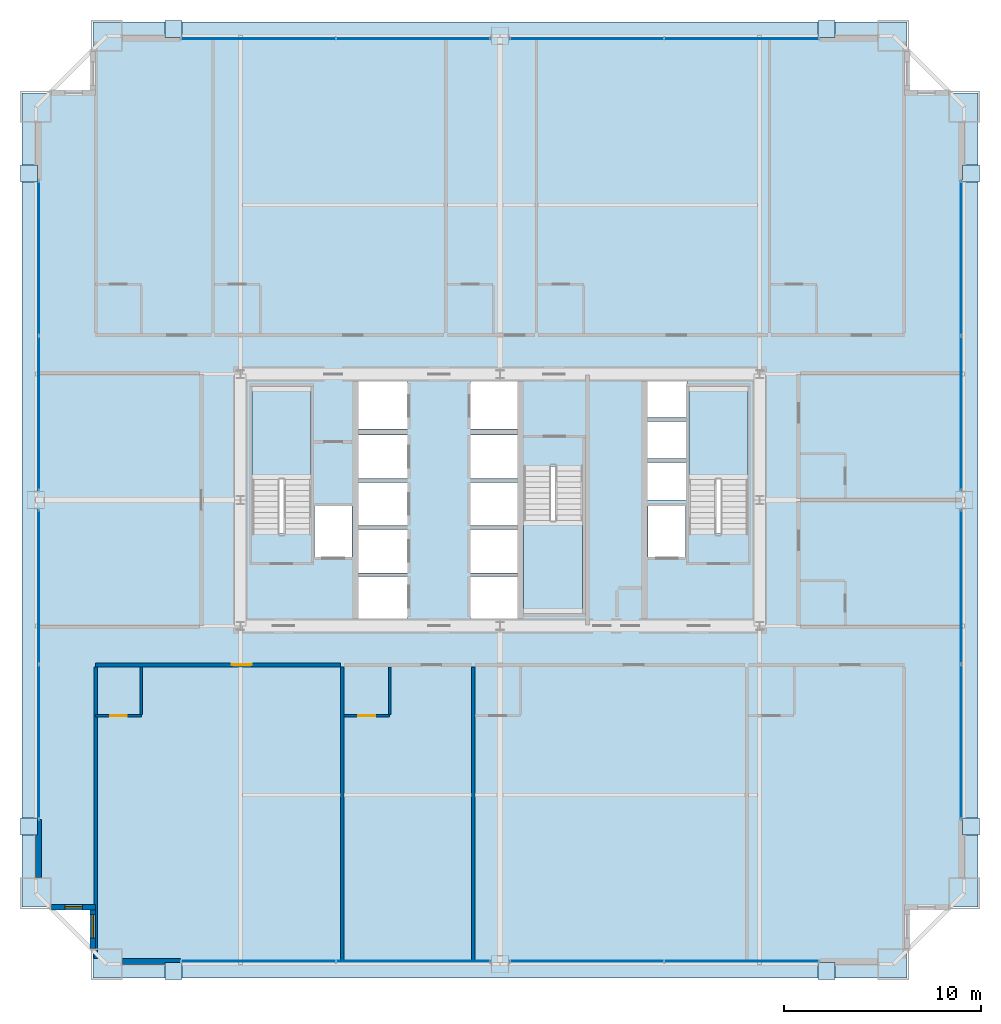
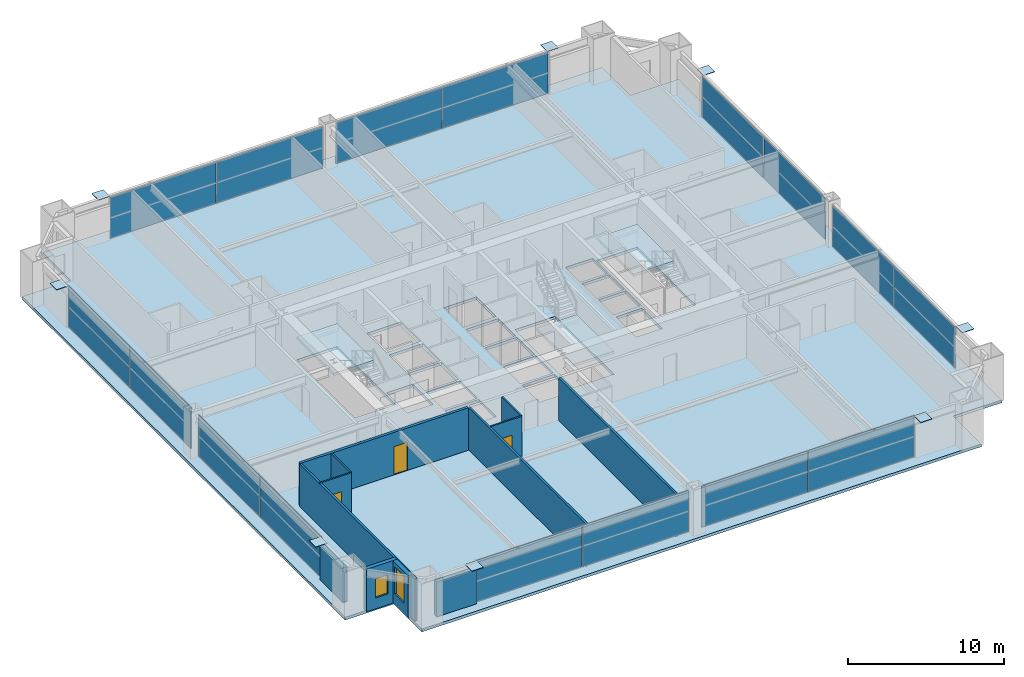
# One storey, part 33 of 38: 24 plates, 12 walls, 4 slabs, 3 doors, 2 windows, 5 openings, 11 elements without a shape of their own.
"""IFC4 building model written with IfcOpenShell, lengths in metres."""

from ifc_helpers import new_model, si_unit, direction, frame, frame_2d, origin, origin_2d, place, context, subcontext, project, spatial, polyline, rectangle, outline, extrude, source, transform, mapped, material, layer, layer_set, type_object, element, fill, aggregate, save


model = new_model("IFC4")

# Units and contexts
model_context = context("Model", 3, precision=1e-05, world=origin(), true_north=direction((0.0, 1.0)))
body_context = subcontext(model_context, "Body", "Model", "MODEL_VIEW")
ifc_project = project(units=[si_unit("LENGTHUNIT", "METRE"), si_unit("AREAUNIT", "SQUARE_METRE"), si_unit("VOLUMEUNIT", "CUBIC_METRE"), si_unit("PLANEANGLEUNIT", "RADIAN"), si_unit("MASSUNIT", "GRAM", prefix="KILO"), si_unit("THERMODYNAMICTEMPERATUREUNIT", "KELVIN"), si_unit("POWERUNIT", "WATT")], contexts=[model_context])

# Site, building, storey
site_placement = place(None, origin())
site = spatial("IfcSite", under=ifc_project, at=site_placement, CompositionType="ELEMENT")
building_placement = place(site_placement, origin())
building = spatial("IfcBuilding", under=site, at=building_placement, Name="Yuzanri Waterfront Tower", CompositionType="ELEMENT")
storey_placement = place(building_placement, frame((0.0, 0.0, 126.199951171875)))
storey = spatial("IfcBuildingStorey", under=building, at=storey_placement, Name="L33", CompositionType="ELEMENT", Elevation=126.199951171875)

# Stair, slab
ifc_material_1 = material(Name="Concrete C40", Category="concrete")
stair_type = type_object("IfcStairType", Name="Concrete C40 Core Dogleg Exit Stair", PredefinedType="HALF_TURN_STAIR", material=ifc_material_1)
stair_1_placement = place(storey_placement, origin())
stair_1 = element("IfcStair", 1, at=stair_1_placement, inside=storey, type_object=stair_type, Name="L33 Smoke-Proof Core Stair ST-01", PredefinedType="HALF_TURN_STAIR")
ifc_material_2 = material(Name="Concrete C40", Category="concrete")
ifc_layer_1 = layer(ifc_material_2, 0.179931640625)
ifc_layer_set_1 = layer_set([ifc_layer_1], Name="Concrete C40")
slab_type_1 = type_object("IfcSlabType", Name="Concrete C40 Stair Half-Landing Slab 180", PredefinedType="LANDING", material=ifc_layer_set_1)
slab_1_placement = place(storey_placement, frame((0.0, 0.0, 1.60009765625)))
slab_1 = element("IfcSlab", 2, at=slab_1_placement, type_object=slab_type_1, Name="ST-01 landing 1", PredefinedType="LANDING", context=body_context, shape_type="SweptSolid", body=[
    extrude(outline(polyline([(27.39990234375, 26.840087890625), (27.39990234375, 31.580078125), (24.39990234375, 31.580078125), (24.39990234375, 26.840087890625), (27.39990234375, 26.840087890625)])), origin(), (0.0, 0.0, 1.0), 0.199951171875),
])
aggregate(stair_1, [slab_1])

stair_2_placement = place(storey_placement, origin())
stair_2 = element("IfcStair", 3, at=stair_2_placement, inside=storey, type_object=stair_type, Name="L33 Smoke-Proof Core Stair ST-02", PredefinedType="HALF_TURN_STAIR")
slab_2_placement = place(storey_placement, frame((0.0, 0.0, 1.60009765625)))
slab_2 = element("IfcSlab", 4, at=slab_2_placement, type_object=slab_type_1, Name="ST-02 landing 1", PredefinedType="LANDING", context=body_context, shape_type="SweptSolid", body=[
    extrude(outline(polyline([(49.60009765625, 26.840087890625), (49.60009765625, 31.580078125), (46.60009765625, 31.580078125), (46.60009765625, 26.840087890625), (49.60009765625, 26.840087890625)])), origin(), (0.0, 0.0, 1.0), 0.199951171875),
])
aggregate(stair_2, [slab_2])

stair_3_placement = place(storey_placement, origin())
stair_3 = element("IfcStair", 5, at=stair_3_placement, inside=storey, type_object=stair_type, Name="L33 Smoke-Proof Core Stair ST-03", PredefinedType="HALF_TURN_STAIR")
slab_3_placement = place(storey_placement, frame((0.0, 0.0, 1.60009765625)))
slab_3 = element("IfcSlab", 6, at=slab_3_placement, type_object=slab_type_1, Name="ST-03 landing 1", PredefinedType="LANDING", context=body_context, shape_type="SweptSolid", body=[
    extrude(outline(polyline([(38.199951171875, 24.760009765625), (38.199951171875, 20.02001953125), (41.199951171875, 20.02001953125), (41.199951171875, 24.760009765625), (38.199951171875, 24.760009765625)])), origin(), (0.0, 0.0, 1.0), 0.199951171875),
])
aggregate(stair_3, [slab_3])

# Slab
ifc_material_3 = material(Name="Concrete C40", Category="concrete")
ifc_layer_2 = layer(ifc_material_3, 0.219970703125)
ifc_layer_set_2 = layer_set([ifc_layer_2], Name="Concrete C40")
slab_type_2 = type_object("IfcSlabType", Name="Concrete C40 Tower Typical Structural Floor Slab 220", PredefinedType="FLOOR", material=ifc_layer_set_2)
slab_4_placement = place(storey_placement, frame((0.0, 0.0, -0.219970703125)))
element("IfcSlab", 7, at=slab_4_placement, inside=storey, type_object=slab_type_2, Name="L33 Main Structural Floor Slab", PredefinedType="FLOOR", context=body_context, shape_type="SweptSolid", body=[
    extrude(outline(polyline([(16.300048828125, 1.5), (57.699951171875, 1.5), (57.699951171875, 5.10009765625), (61.300048828125, 5.10009765625), (61.300048828125, 46.5), (57.699951171875, 46.5), (57.699951171875, 50.10009765625), (16.300048828125, 50.10009765625), (16.300048828125, 46.5), (12.699951171875, 46.5), (12.699951171875, 5.10009765625), (16.300048828125, 5.10009765625), (16.300048828125, 1.5)]), holes=[polyline([(27.39990234375, 24.10009765625), (27.39990234375, 31.580078125), (24.39990234375, 31.580078125), (24.39990234375, 24.10009765625), (27.39990234375, 24.10009765625)]), polyline([(49.60009765625, 24.10009765625), (49.60009765625, 31.580078125), (46.60009765625, 31.580078125), (46.60009765625, 24.10009765625), (49.60009765625, 24.10009765625)]), polyline([(38.199951171875, 27.5), (38.199951171875, 20.02001953125), (41.199951171875, 20.02001953125), (41.199951171875, 27.5), (38.199951171875, 27.5)]), polyline([(27.56005859375, 22.89990234375), (29.47998046875, 22.89990234375), (29.47998046875, 25.5), (27.56005859375, 25.5), (27.56005859375, 22.89990234375)]), polyline([(44.52001953125, 22.89990234375), (46.43994140625, 22.89990234375), (46.43994140625, 25.5), (44.52001953125, 25.5), (44.52001953125, 22.89990234375)]), polyline([(29.800048828125, 19.699951171875), (32.300048828125, 19.699951171875), (32.300048828125, 21.89990234375), (29.800048828125, 21.89990234375), (29.800048828125, 19.699951171875)]), polyline([(29.800048828125, 22.10009765625), (32.300048828125, 22.10009765625), (32.300048828125, 24.300048828125), (29.800048828125, 24.300048828125), (29.800048828125, 22.10009765625)]), polyline([(29.800048828125, 24.5), (32.300048828125, 24.5), (32.300048828125, 26.699951171875), (29.800048828125, 26.699951171875), (29.800048828125, 24.5)]), polyline([(29.800048828125, 26.89990234375), (32.300048828125, 26.89990234375), (32.300048828125, 29.10009765625), (29.800048828125, 29.10009765625), (29.800048828125, 26.89990234375)]), polyline([(29.800048828125, 29.39990234375), (32.300048828125, 29.39990234375), (32.300048828125, 31.89990234375), (29.800048828125, 31.89990234375), (29.800048828125, 29.39990234375)]), polyline([(35.5, 19.699951171875), (37.89990234375, 19.699951171875), (37.89990234375, 21.89990234375), (35.5, 21.89990234375), (35.5, 19.699951171875)]), polyline([(35.5, 22.10009765625), (37.89990234375, 22.10009765625), (37.89990234375, 24.300048828125), (35.5, 24.300048828125), (35.5, 22.10009765625)]), polyline([(35.5, 24.5), (37.89990234375, 24.5), (37.89990234375, 26.699951171875), (35.5, 26.699951171875), (35.5, 24.5)]), polyline([(35.5, 26.89990234375), (37.89990234375, 26.89990234375), (37.89990234375, 29.10009765625), (35.5, 29.10009765625), (35.5, 26.89990234375)]), polyline([(35.5, 29.39990234375), (37.89990234375, 29.39990234375), (37.89990234375, 31.89990234375), (35.5, 31.89990234375), (35.5, 29.39990234375)]), polyline([(44.5, 25.800048828125), (46.5, 25.800048828125), (46.5, 27.699951171875), (44.5, 27.699951171875), (44.5, 25.800048828125)]), polyline([(44.5, 27.89990234375), (46.5, 27.89990234375), (46.5, 29.800048828125), (44.5, 29.800048828125), (44.5, 27.89990234375)]), polyline([(44.5, 30.0), (46.5, 30.0), (46.5, 31.89990234375), (44.5, 31.89990234375), (44.5, 30.0)])]), origin(), (0.0, 0.0, 1.0), 0.219970703125),
])

# Plates
ifc_material_4 = material(Name="Steel Q420GJC", Category="steel")
ifc_layer_3 = layer(ifc_material_4, 0.0400390625)
ifc_layer_set_3 = layer_set([ifc_layer_3], Name="Steel Q420GJC")
plate_type_1 = type_object("IfcPlateType", Name="Steel Q420GJC Mega-Brace Gusset and End-Cap Plate 40", PredefinedType="SHEET", material=ifc_layer_set_3)
shared_shape_1 = source(origin(), body_context, "Body", "SweptSolid", [
    extrude(rectangle(XDim=0.85009765625, YDim=0.85009765625, at=origin_2d()), origin(), (0.0, 0.0, 1.0), 0.0400390625),
])
for number, where, z_axis, x_axis, name in (
    (8, (20.39990234375, 1.860107421875, 3.260009765625), (0.0, 0.0, 1.0), (1.0, 0.0, 0.0), "L33 Mega-Brace Apex Cap Plate S-L"),
    (9, (53.60009765625, 1.860107421875, 3.260009765625), (0.0, 0.0, 1.0), (1.0, 0.0, 0.0), "L33 Mega-Brace Apex Cap Plate S-R"),
    (10, (20.39990234375, 49.739990234375, 3.260009765625), (0.0, 0.0, 1.0), (1.0, 0.0, 0.0), "L33 Mega-Brace Apex Cap Plate N-L"),
    (11, (53.60009765625, 49.739990234375, 3.260009765625), (0.0, 0.0, 1.0), (1.0, 0.0, 0.0), "L33 Mega-Brace Apex Cap Plate N-R"),
    (12, (13.06005859375, 9.199951171875, 3.260009765625), (0.0, 0.0, 1.0), (1.0, 0.0, 0.0), "L33 Mega-Brace Apex Cap Plate W-L"),
    (13, (13.06005859375, 42.39990234375, 3.260009765625), (0.0, 0.0, 1.0), (1.0, 0.0, 0.0), "L33 Mega-Brace Apex Cap Plate W-R"),
    (14, (60.93994140625, 9.199951171875, 3.260009765625), (0.0, 0.0, 1.0), (1.0, 0.0, 0.0), "L33 Mega-Brace Apex Cap Plate E-L"),
    (15, (60.93994140625, 42.39990234375, 3.260009765625), (0.0, 0.0, 1.0), (1.0, 0.0, 0.0), "L33 Mega-Brace Apex Cap Plate E-R"),
):
    element("IfcPlate", number, at=place(storey_placement, frame(where, z_axis=z_axis, x_axis=x_axis)), inside=storey, type_object=plate_type_1, Name=name, PredefinedType="SHEET", context=body_context, shape_type="MappedRepresentation", body=[
        mapped(shared_shape_1, transform((0.0, 0.0, 0.0), scale=1.0)),
    ])

# Curtain wall, plates
ifc_material_5 = material(Name="Anodized Architectural Bronze", Category="metal")
ifc_layer_4 = layer(ifc_material_5, 0.159912109375)
ifc_layer_set_4 = layer_set([ifc_layer_4], Name="Anodized Architectural Bronze")
curtain_wall_type = type_object("IfcCurtainWallType", Name="Anodized Bronze Hotel Upper-Tier Solar-Control Unitized Curtain Wall 7800", PredefinedType="NOTDEFINED", material=ifc_layer_set_4)
curtain_wall_1_placement = place(storey_placement, origin())
curtain_wall_1 = element("IfcCurtainWall", 16, at=curtain_wall_1_placement, inside=storey, type_object=curtain_wall_type, Name="L33 Curtain Wall CW-L33-SL", PredefinedType="NOTDEFINED")
ifc_material_6 = material(Name="Double-Silver Low-E Insulated Glass", Category="glass")
ifc_layer_5 = layer(ifc_material_6, 0.035888671875)
ifc_layer_set_5 = layer_set([ifc_layer_5], Name="Double-Silver Low-E Insulated Glass")
plate_type_2 = type_object("IfcPlateType", Name="Double Silver Low-E Insulated Vision Glass Panel 36", PredefinedType="CURTAIN_PANEL", material=ifc_layer_set_5)
shared_shape_2 = source(origin(), body_context, "Body", "SweptSolid", [
    extrude(rectangle(XDim=7.820068359375, YDim=0.035888671875, at=origin_2d()), origin(), (0.0, 0.0, 1.0), 3.219970703125),
])
plate_1_placement = place(storey_placement, frame((24.699951171875, 2.35009765625, 0.05029296875), z_axis=(0.0, 0.0, 1.0), x_axis=(1.0, 0.0, 0.0)))
plate_1 = element("IfcPlate", 17, at=plate_1_placement, type_object=plate_type_2, Name="CW-L33-SL Vision Glass Panel 01", PredefinedType="CURTAIN_PANEL", context=body_context, shape_type="MappedRepresentation", body=[
    mapped(shared_shape_2, transform((0.0, 0.0, 0.0), scale=1.0)),
])
plate_2_placement = place(storey_placement, frame((32.60009765625, 2.35009765625, 0.05029296875), z_axis=(0.0, 0.0, 1.0), x_axis=(1.0, 0.0, 0.0)))
plate_2 = element("IfcPlate", 18, at=plate_2_placement, type_object=plate_type_2, Name="CW-L33-SL Vision Glass Panel 02", PredefinedType="CURTAIN_PANEL", context=body_context, shape_type="MappedRepresentation", body=[
    mapped(shared_shape_2, transform((0.0, 0.0, 0.0), scale=1.0)),
])
aggregate(curtain_wall_1, [plate_1, plate_2])

curtain_wall_2_placement = place(storey_placement, origin())
curtain_wall_2 = element("IfcCurtainWall", 19, at=curtain_wall_2_placement, inside=storey, type_object=curtain_wall_type, Name="L33 Curtain Wall CW-L33-SR", PredefinedType="NOTDEFINED")
plate_3_placement = place(storey_placement, frame((41.39990234375, 2.35009765625, 0.05029296875), z_axis=(0.0, 0.0, 1.0), x_axis=(1.0, 0.0, 0.0)))
plate_3 = element("IfcPlate", 20, at=plate_3_placement, type_object=plate_type_2, Name="CW-L33-SR Vision Glass Panel 01", PredefinedType="CURTAIN_PANEL", context=body_context, shape_type="MappedRepresentation", body=[
    mapped(shared_shape_2, transform((0.0, 0.0, 0.0), scale=1.0)),
])
plate_4_placement = place(storey_placement, frame((49.300048828125, 2.35009765625, 0.05029296875), z_axis=(0.0, 0.0, 1.0), x_axis=(1.0, 0.0, 0.0)))
plate_4 = element("IfcPlate", 21, at=plate_4_placement, type_object=plate_type_2, Name="CW-L33-SR Vision Glass Panel 02", PredefinedType="CURTAIN_PANEL", context=body_context, shape_type="MappedRepresentation", body=[
    mapped(shared_shape_2, transform((0.0, 0.0, 0.0), scale=1.0)),
])
aggregate(curtain_wall_2, [plate_3, plate_4])

curtain_wall_3_placement = place(storey_placement, origin())
curtain_wall_3 = element("IfcCurtainWall", 22, at=curtain_wall_3_placement, inside=storey, type_object=curtain_wall_type, Name="L33 Curtain Wall CW-L33-NL", PredefinedType="NOTDEFINED")
plate_5_placement = place(storey_placement, frame((24.699951171875, 49.25, 0.05029296875), z_axis=(0.0, 0.0, 1.0), x_axis=(1.0, 0.0, 0.0)))
plate_5 = element("IfcPlate", 23, at=plate_5_placement, type_object=plate_type_2, Name="CW-L33-NL Vision Glass Panel 01", PredefinedType="CURTAIN_PANEL", context=body_context, shape_type="MappedRepresentation", body=[
    mapped(shared_shape_2, transform((0.0, 0.0, 0.0), scale=1.0)),
])
plate_6_placement = place(storey_placement, frame((32.60009765625, 49.25, 0.05029296875), z_axis=(0.0, 0.0, 1.0), x_axis=(1.0, 0.0, 0.0)))
plate_6 = element("IfcPlate", 24, at=plate_6_placement, type_object=plate_type_2, Name="CW-L33-NL Vision Glass Panel 02", PredefinedType="CURTAIN_PANEL", context=body_context, shape_type="MappedRepresentation", body=[
    mapped(shared_shape_2, transform((0.0, 0.0, 0.0), scale=1.0)),
])
aggregate(curtain_wall_3, [plate_5, plate_6])

curtain_wall_4_placement = place(storey_placement, origin())
curtain_wall_4 = element("IfcCurtainWall", 25, at=curtain_wall_4_placement, inside=storey, type_object=curtain_wall_type, Name="L33 Curtain Wall CW-L33-NR", PredefinedType="NOTDEFINED")
plate_7_placement = place(storey_placement, frame((41.39990234375, 49.25, 0.05029296875), z_axis=(0.0, 0.0, 1.0), x_axis=(1.0, 0.0, 0.0)))
plate_7 = element("IfcPlate", 26, at=plate_7_placement, type_object=plate_type_2, Name="CW-L33-NR Vision Glass Panel 01", PredefinedType="CURTAIN_PANEL", context=body_context, shape_type="MappedRepresentation", body=[
    mapped(shared_shape_2, transform((0.0, 0.0, 0.0), scale=1.0)),
])
plate_8_placement = place(storey_placement, frame((49.300048828125, 49.25, 0.05029296875), z_axis=(0.0, 0.0, 1.0), x_axis=(1.0, 0.0, 0.0)))
plate_8 = element("IfcPlate", 27, at=plate_8_placement, type_object=plate_type_2, Name="CW-L33-NR Vision Glass Panel 02", PredefinedType="CURTAIN_PANEL", context=body_context, shape_type="MappedRepresentation", body=[
    mapped(shared_shape_2, transform((0.0, 0.0, 0.0), scale=1.0)),
])
aggregate(curtain_wall_4, [plate_7, plate_8])

curtain_wall_5_placement = place(storey_placement, origin())
curtain_wall_5 = element("IfcCurtainWall", 28, at=curtain_wall_5_placement, inside=storey, type_object=curtain_wall_type, Name="L33 Curtain Wall CW-L33-WL", PredefinedType="NOTDEFINED")
plate_9_placement = place(storey_placement, frame((13.550048828125, 13.5, 0.05029296875), z_axis=(0.0, 0.0, 1.0), x_axis=(0.0, 1.0, 0.0)))
plate_9 = element("IfcPlate", 29, at=plate_9_placement, type_object=plate_type_2, Name="CW-L33-WL Vision Glass Panel 01", PredefinedType="CURTAIN_PANEL", context=body_context, shape_type="MappedRepresentation", body=[
    mapped(shared_shape_2, transform((0.0, 0.0, 0.0), scale=1.0)),
])
plate_10_placement = place(storey_placement, frame((13.550048828125, 21.39990234375, 0.05029296875), z_axis=(0.0, 0.0, 1.0), x_axis=(0.0, 1.0, 0.0)))
plate_10 = element("IfcPlate", 30, at=plate_10_placement, type_object=plate_type_2, Name="CW-L33-WL Vision Glass Panel 02", PredefinedType="CURTAIN_PANEL", context=body_context, shape_type="MappedRepresentation", body=[
    mapped(shared_shape_2, transform((0.0, 0.0, 0.0), scale=1.0)),
])
aggregate(curtain_wall_5, [plate_9, plate_10])

curtain_wall_6_placement = place(storey_placement, origin())
curtain_wall_6 = element("IfcCurtainWall", 31, at=curtain_wall_6_placement, inside=storey, type_object=curtain_wall_type, Name="L33 Curtain Wall CW-L33-WR", PredefinedType="NOTDEFINED")
plate_11_placement = place(storey_placement, frame((13.550048828125, 30.199951171875, 0.05029296875), z_axis=(0.0, 0.0, 1.0), x_axis=(0.0, 1.0, 0.0)))
plate_11 = element("IfcPlate", 32, at=plate_11_placement, type_object=plate_type_2, Name="CW-L33-WR Vision Glass Panel 01", PredefinedType="CURTAIN_PANEL", context=body_context, shape_type="MappedRepresentation", body=[
    mapped(shared_shape_2, transform((0.0, 0.0, 0.0), scale=1.0)),
])
plate_12_placement = place(storey_placement, frame((13.550048828125, 38.10009765625, 0.05029296875), z_axis=(0.0, 0.0, 1.0), x_axis=(0.0, 1.0, 0.0)))
plate_12 = element("IfcPlate", 33, at=plate_12_placement, type_object=plate_type_2, Name="CW-L33-WR Vision Glass Panel 02", PredefinedType="CURTAIN_PANEL", context=body_context, shape_type="MappedRepresentation", body=[
    mapped(shared_shape_2, transform((0.0, 0.0, 0.0), scale=1.0)),
])
aggregate(curtain_wall_6, [plate_11, plate_12])

curtain_wall_7_placement = place(storey_placement, origin())
curtain_wall_7 = element("IfcCurtainWall", 34, at=curtain_wall_7_placement, inside=storey, type_object=curtain_wall_type, Name="L33 Curtain Wall CW-L33-EL", PredefinedType="NOTDEFINED")
plate_13_placement = place(storey_placement, frame((60.449951171875, 13.5, 0.05029296875), z_axis=(0.0, 0.0, 1.0), x_axis=(0.0, 1.0, 0.0)))
plate_13 = element("IfcPlate", 35, at=plate_13_placement, type_object=plate_type_2, Name="CW-L33-EL Vision Glass Panel 01", PredefinedType="CURTAIN_PANEL", context=body_context, shape_type="MappedRepresentation", body=[
    mapped(shared_shape_2, transform((0.0, 0.0, 0.0), scale=1.0)),
])
plate_14_placement = place(storey_placement, frame((60.449951171875, 21.39990234375, 0.05029296875), z_axis=(0.0, 0.0, 1.0), x_axis=(0.0, 1.0, 0.0)))
plate_14 = element("IfcPlate", 36, at=plate_14_placement, type_object=plate_type_2, Name="CW-L33-EL Vision Glass Panel 02", PredefinedType="CURTAIN_PANEL", context=body_context, shape_type="MappedRepresentation", body=[
    mapped(shared_shape_2, transform((0.0, 0.0, 0.0), scale=1.0)),
])
aggregate(curtain_wall_7, [plate_13, plate_14])

curtain_wall_8_placement = place(storey_placement, origin())
curtain_wall_8 = element("IfcCurtainWall", 37, at=curtain_wall_8_placement, inside=storey, type_object=curtain_wall_type, Name="L33 Curtain Wall CW-L33-ER", PredefinedType="NOTDEFINED")
plate_15_placement = place(storey_placement, frame((60.449951171875, 30.199951171875, 0.05029296875), z_axis=(0.0, 0.0, 1.0), x_axis=(0.0, 1.0, 0.0)))
plate_15 = element("IfcPlate", 38, at=plate_15_placement, type_object=plate_type_2, Name="CW-L33-ER Vision Glass Panel 01", PredefinedType="CURTAIN_PANEL", context=body_context, shape_type="MappedRepresentation", body=[
    mapped(shared_shape_2, transform((0.0, 0.0, 0.0), scale=1.0)),
])
plate_16_placement = place(storey_placement, frame((60.449951171875, 38.10009765625, 0.05029296875), z_axis=(0.0, 0.0, 1.0), x_axis=(0.0, 1.0, 0.0)))
plate_16 = element("IfcPlate", 39, at=plate_16_placement, type_object=plate_type_2, Name="CW-L33-ER Vision Glass Panel 02", PredefinedType="CURTAIN_PANEL", context=body_context, shape_type="MappedRepresentation", body=[
    mapped(shared_shape_2, transform((0.0, 0.0, 0.0), scale=1.0)),
])
aggregate(curtain_wall_8, [plate_15, plate_16])

# Wall, opening, door
ifc_material_7 = material(Name="Moisture-Resistant Gypsum Stud Wall", Category="gypsum")
ifc_layer_6 = layer(ifc_material_7, 0.1201171875)
ifc_layer_set_6 = layer_set([ifc_layer_6], Name="Moisture-Resistant Gypsum Stud Wall")
wall_type_1 = type_object("IfcWallType", Name="Bathroom and Kitchen Wet Partition 120", PredefinedType="PARTITIONING", material=ifc_layer_set_6)
wall_1_placement = place(storey_placement, frame((16.43994140625, 14.840087890625, 0.0), z_axis=(0.0, 0.0, 1.0), x_axis=(1.0, 0.0, 0.0)))
wall_1 = element("IfcWall", 40, at=wall_1_placement, inside=storey, type_object=wall_type_1, Name="L33 Partition UW-L33-S1-BS", PredefinedType="PARTITIONING", context=body_context, shape_type="SweptSolid", body=[
    extrude(rectangle(XDim=2.330078125, YDim=0.1201171875, at=frame_2d((1.1650390625, 0.0))), origin(), (0.0, 0.0, 1.0), 3.320068359375),
])
opening_1_placement = place(wall_1_placement, frame((0.739990234375, 0.0, 0.0)))
opening_1 = element("IfcOpeningElement", 41, at=opening_1_placement, cuts=wall_1, Name="Opening ID-0850", PredefinedType="OPENING", context=body_context, shape_type="SweptSolid", body=[
    extrude(rectangle(XDim=0.85009765625, YDim=2.10009765625, at=frame_2d((0.425048828125, 1.050048828125))), frame((0.0, 0.074951171875, 0.0), z_axis=(0.0, -1.0, 0.0), x_axis=(1.0, 0.0, 0.0)), (0.0, 0.0, 1.0), 0.14990234375),
])
ifc_material_8 = material(Name="Moisture-Resistant Lacquered Timber", Category="wood")
door_type_1 = type_object("IfcDoorType", Name="En-Suite Bathroom and Kitchen Swing Door 850x2100", OperationType="NOTDEFINED", PredefinedType="DOOR", material=ifc_material_8)
shared_shape_3 = source(origin(), body_context, "Body", "SweptSolid", [
    extrude(rectangle(XDim=0.85009765625, YDim=2.10009765625, at=frame_2d((0.425048828125, 1.050048828125))), frame((0.0, 0.02490234375, 0.0), z_axis=(0.0, -1.0, 0.0), x_axis=(1.0, 0.0, 0.0)), (0.0, 0.0, 1.0), 0.050048828125),
])
door_1_placement = place(opening_1_placement, origin())
door_1 = element("IfcDoor", 42, at=door_1_placement, inside=storey, type_object=door_type_1, Name="L33 Guest En-Suite Door", OperationType="SINGLE_SWING_LEFT", OverallHeight=2.10009765625, OverallWidth=0.85009765625, PredefinedType="DOOR", context=body_context, shape_type="MappedRepresentation", body=[
    mapped(shared_shape_3, transform((0.0, 0.0, 0.0), scale=1.0)),
])
fill(opening_1, door_1)

wall_2_placement = place(storey_placement, frame((29.06201171875, 14.840087890625, 0.0), z_axis=(0.0, 0.0, 1.0), x_axis=(1.0, 0.0, 0.0)))
wall_2 = element("IfcWall", 43, at=wall_2_placement, inside=storey, type_object=wall_type_1, Name="L33 Partition UW-L33-S2-BS", PredefinedType="PARTITIONING", context=body_context, shape_type="SweptSolid", body=[
    extrude(rectangle(XDim=2.330078125, YDim=0.1201171875, at=frame_2d((1.1650390625, 0.0))), origin(), (0.0, 0.0, 1.0), 3.320068359375),
])
opening_2_placement = place(wall_2_placement, frame((0.739990234375, 0.0, 0.0)))
opening_2 = element("IfcOpeningElement", 44, at=opening_2_placement, cuts=wall_2, Name="Opening ID-0850", PredefinedType="OPENING", context=body_context, shape_type="SweptSolid", body=[
    extrude(rectangle(XDim=0.85009765625, YDim=2.10009765625, at=frame_2d((0.425048828125, 1.050048828125))), frame((0.0, 0.074951171875, 0.0), z_axis=(0.0, -1.0, 0.0), x_axis=(1.0, 0.0, 0.0)), (0.0, 0.0, 1.0), 0.14990234375),
])
door_2_placement = place(opening_2_placement, origin())
door_2 = element("IfcDoor", 45, at=door_2_placement, inside=storey, type_object=door_type_1, Name="L33 Guest En-Suite Door", OperationType="SINGLE_SWING_LEFT", OverallHeight=2.10009765625, OverallWidth=0.85009765625, PredefinedType="DOOR", context=body_context, shape_type="MappedRepresentation", body=[
    mapped(shared_shape_3, transform((0.0, 0.0, 0.0), scale=1.0)),
])
fill(opening_2, door_2)

# Wall, opening, window
ifc_material_9 = material(Name="Honed Chongqing Dark Basalt Stone", Category="masonry")
ifc_layer_7 = layer(ifc_material_9, 0.300048828125)
ifc_layer_set_7 = layer_set([ifc_layer_7], Name="Honed Chongqing Dark Basalt Stone")
wall_type_2 = type_object("IfcWallType", Name="Bronze Rainscreen Insulated Spandrel Portal Wall 300", PredefinedType="SOLIDWALL", material=ifc_layer_set_7)
wall_3_placement = place(storey_placement, frame((14.199951171875, 5.10009765625, 0.0), z_axis=(0.0, 0.0, 1.0), x_axis=(1.0, 0.0, 0.0)))
wall_3 = element("IfcWall", 46, at=wall_3_placement, inside=storey, type_object=wall_type_2, Name="L33 Notched Corner Masonry Wall SW-X", PredefinedType="SOLIDWALL", context=body_context, shape_type="SweptSolid", body=[
    extrude(rectangle(XDim=2.25, YDim=0.300048828125, at=frame_2d((1.125, 0.0))), origin(), (0.0, 0.0, 1.0), 3.320068359375),
])
opening_3_placement = place(wall_3_placement, frame((0.675048828125, 0.0, 0.85009765625)))
opening_3 = element("IfcOpeningElement", 47, at=opening_3_placement, cuts=wall_3, Name="Opening WN-05", PredefinedType="OPENING", context=body_context, shape_type="SweptSolid", body=[
    extrude(rectangle(XDim=0.89990234375, YDim=1.5, at=frame_2d((0.449951171875, 0.75))), frame((0.0, 0.1650390625, 0.0), z_axis=(0.0, -1.0, 0.0), x_axis=(1.0, 0.0, 0.0)), (0.0, 0.0, 1.0), 0.329833984375),
])
ifc_material_10 = material(Name="Double-Silver Low-E Insulated Glass", Category="glass")
window_type_1 = type_object("IfcWindowType", Name="Anodized Bronze Service and Stairwell Smoke-Vent Window 900x1500", PartitioningType="SINGLE_PANEL", PredefinedType="WINDOW", material=ifc_material_10)
shared_shape_4 = source(origin(), body_context, "Body", "SweptSolid", [
    extrude(rectangle(XDim=0.89990234375, YDim=1.5, at=frame_2d((0.449951171875, 0.75))), frame((0.0, 0.030029296875, 0.0), z_axis=(0.0, -1.0, 0.0), x_axis=(1.0, 0.0, 0.0)), (0.0, 0.0, 1.0), 0.06005859375),
])
window_1_placement = place(opening_3_placement, origin())
window_1 = element("IfcWindow", 48, at=window_1_placement, inside=storey, type_object=window_type_1, Name="L33 Notched Corner Window SW-X", OverallHeight=1.5, OverallWidth=0.89990234375, PartitioningType="SINGLE_PANEL", PredefinedType="WINDOW", context=body_context, shape_type="MappedRepresentation", body=[
    mapped(shared_shape_4, transform((0.0, 0.0, 0.0), scale=1.0)),
])
fill(opening_3, window_1)

wall_4_placement = place(storey_placement, frame((16.300048828125, 5.25, 0.0), z_axis=(0.0, 0.0, 1.0), x_axis=(0.0, -1.0, 0.0)))
wall_4 = element("IfcWall", 49, at=wall_4_placement, inside=storey, type_object=wall_type_2, Name="L33 Notched Corner Masonry Wall SW-Y", PredefinedType="SOLIDWALL", context=body_context, shape_type="SweptSolid", body=[
    extrude(rectangle(XDim=2.25, YDim=0.300048828125, at=frame_2d((1.125, 0.0))), origin(), (0.0, 0.0, 1.0), 3.320068359375),
])
opening_4_placement = place(wall_4_placement, frame((0.52490234375, 0.0, 0.85009765625)))
opening_4 = element("IfcOpeningElement", 50, at=opening_4_placement, cuts=wall_4, Name="Opening WN-02", PredefinedType="OPENING", context=body_context, shape_type="SweptSolid", body=[
    extrude(rectangle(XDim=1.199951171875, YDim=2.10009765625, at=frame_2d((0.60009765625, 1.050048828125))), frame((0.0, 0.1650390625, 0.0), z_axis=(0.0, -1.0, 0.0), x_axis=(1.0, 0.0, 0.0)), (0.0, 0.0, 1.0), 0.329833984375),
])
ifc_material_11 = material(Name="Double-Silver Low-E Insulated Glass", Category="glass")
window_type_2 = type_object("IfcWindowType", Name="Anodized Bronze Notched Corner Deep-Set Slot Window 1200x2100", PartitioningType="SINGLE_PANEL", PredefinedType="WINDOW", material=ifc_material_11)
shared_shape_5 = source(origin(), body_context, "Body", "SweptSolid", [
    extrude(rectangle(XDim=1.199951171875, YDim=2.10009765625, at=frame_2d((0.60009765625, 1.050048828125))), frame((0.0, 0.030029296875, 0.0), z_axis=(0.0, -1.0, 0.0), x_axis=(1.0, 0.0, 0.0)), (0.0, 0.0, 1.0), 0.06005859375),
])
window_2_placement = place(opening_4_placement, origin())
window_2 = element("IfcWindow", 51, at=window_2_placement, inside=storey, type_object=window_type_2, Name="L33 Notched Corner Window SW-Y", OverallHeight=2.10009765625, OverallWidth=1.199951171875, PartitioningType="SINGLE_PANEL", PredefinedType="WINDOW", context=body_context, shape_type="MappedRepresentation", body=[
    mapped(shared_shape_5, transform((0.0, 0.0, 0.0), scale=1.0)),
])
fill(opening_4, window_2)

# Wall, opening, door
ifc_material_12 = material(Name="Autoclaved Aerated Concrete Blockwork", Category="masonry")
ifc_layer_8 = layer(ifc_material_12, 0.199951171875)
ifc_layer_set_8 = layer_set([ifc_layer_8], Name="Autoclaved Aerated Concrete Blockwork")
wall_type_3 = type_object("IfcWallType", Name="Corridor and Unit Party Fire Wall 200", PredefinedType="PARTITIONING", material=ifc_layer_set_8)
wall_5_placement = place(storey_placement, frame((16.43994140625, 17.419921875, 0.0), z_axis=(0.0, 0.0, 1.0), x_axis=(1.0, 0.0, 0.0)))
wall_5 = element("IfcWall", 52, at=wall_5_placement, inside=storey, type_object=wall_type_3, Name="L33 Partition UW-L33-S1-CN", PredefinedType="PARTITIONING", context=body_context, shape_type="SweptSolid", body=[
    extrude(rectangle(XDim=12.462158203125, YDim=0.199951171875, at=frame_2d((6.23095703125, 0.0))), origin(), (0.0, 0.0, 1.0), 3.320068359375),
])
opening_5_placement = place(wall_5_placement, frame((6.93603515625, 0.0, 0.0)))
opening_5 = element("IfcOpeningElement", 53, at=opening_5_placement, cuts=wall_5, Name="Opening FD-1000", PredefinedType="OPENING", context=body_context, shape_type="SweptSolid", body=[
    extrude(rectangle(XDim=1.0, YDim=2.199951171875, at=frame_2d((0.5, 1.10009765625))), frame((0.0, 0.11474609375, 0.0), z_axis=(0.0, -1.0, 0.0), x_axis=(1.0, 0.0, 0.0)), (0.0, 0.0, 1.0), 0.229736328125),
])
ifc_material_13 = material(Name="Engineered Oak Fire-Rated Timber", Category="wood")
door_type_2 = type_object("IfcDoorType", Name="Guestroom and Apartment Entrance Fire Door 1000x2200", OperationType="NOTDEFINED", PredefinedType="DOOR", material=ifc_material_13)
shared_shape_6 = source(origin(), body_context, "Body", "SweptSolid", [
    extrude(rectangle(XDim=1.0, YDim=2.199951171875, at=frame_2d((0.5, 1.10009765625))), frame((0.0, 0.02490234375, 0.0), z_axis=(0.0, -1.0, 0.0), x_axis=(1.0, 0.0, 0.0)), (0.0, 0.0, 1.0), 0.050048828125),
])
door_3_placement = place(opening_5_placement, origin())
door_3 = element("IfcDoor", 54, at=door_3_placement, inside=storey, type_object=door_type_2, Name="L33 Presidential Riverfront Suite Entrance Door", OperationType="SINGLE_SWING_RIGHT", OverallHeight=2.199951171875, OverallWidth=1.0, PredefinedType="DOOR", context=body_context, shape_type="MappedRepresentation", body=[
    mapped(shared_shape_6, transform((0.0, 0.0, 0.0), scale=1.0)),
])
fill(opening_5, door_3)

# Walls
shared_shape_7 = source(origin(), body_context, "Body", "SweptSolid", [
    extrude(rectangle(XDim=2.949951171875, YDim=0.300048828125, at=frame_2d((1.47509765625, 0.0))), origin(), (0.0, 0.0, 1.0), 2.715087890625),
])
for number, where, z_axis, x_axis, name in (
    (55, (17.800048828125, 2.35009765625, 0.0), (0.0, 0.0, 1.0), (1.0, 0.0, 0.0), "L33 S Left Braced Masonry Shoulder"),
    (56, (13.550048828125, 6.60009765625, 0.0), (0.0, 0.0, 1.0), (0.0, 1.0, 0.0), "L33 W Left Braced Masonry Shoulder"),
):
    element("IfcWall", number, at=place(storey_placement, frame(where, z_axis=z_axis, x_axis=x_axis)), inside=storey, type_object=wall_type_2, Name=name, PredefinedType="SOLIDWALL", context=body_context, shape_type="MappedRepresentation", body=[
        mapped(shared_shape_7, transform((0.0, 0.0, 0.0), scale=1.0)),
    ])
shared_shape_8 = source(origin(), body_context, "Body", "SweptSolid", [
    extrude(rectangle(XDim=2.420166015625, YDim=0.1201171875, at=frame_2d((1.2099609375, 0.0))), origin(), (0.0, 0.0, 1.0), 3.320068359375),
])
for number, where, z_axis, x_axis, name in (
    (57, (18.77001953125, 14.89990234375, 0.0), (0.0, 0.0, 1.0), (0.0, 1.0, 0.0), "L33-S1 En-Suite Side Wall"),
    (58, (31.39208984375, 14.89990234375, 0.0), (0.0, 0.0, 1.0), (0.0, 1.0, 0.0), "L33-S2 En-Suite Side Wall"),
):
    element("IfcWall", number, at=place(storey_placement, frame(where, z_axis=z_axis, x_axis=x_axis)), inside=storey, type_object=wall_type_1, Name=name, PredefinedType="PARTITIONING", context=body_context, shape_type="MappedRepresentation", body=[
        mapped(shared_shape_8, transform((0.0, 0.0, 0.0), scale=1.0)),
    ])
ifc_material_14 = material(Name="Gypsum Fireboard Acoustic Stud Wall", Category="gypsum")
ifc_layer_9 = layer(ifc_material_14, 0.159912109375)
ifc_layer_set_9 = layer_set([ifc_layer_9], Name="Gypsum Fireboard Acoustic Stud Wall")
wall_type_4 = type_object("IfcWallType", Name="Acoustic Suite Demising Partition 160", PredefinedType="PARTITIONING", material=ifc_layer_set_9)
shared_shape_9 = source(origin(), body_context, "Body", "SweptSolid", [
    extrude(rectangle(XDim=14.969970703125, YDim=0.159912109375, at=frame_2d((7.48486328125, 0.0))), origin(), (0.0, 0.0, 1.0), 3.320068359375),
])
for number, where, z_axis, x_axis, name in (
    (59, (28.98193359375, 2.35009765625, 0.0), (0.0, 0.0, 1.0), (0.0, 1.0, 0.0), "L33-S1 Party Wall"),
    (60, (35.64306640625, 2.35009765625, 0.0), (0.0, 0.0, 1.0), (0.0, 1.0, 0.0), "L33-S2 Party Wall"),
):
    element("IfcWall", number, at=place(storey_placement, frame(where, z_axis=z_axis, x_axis=x_axis)), inside=storey, type_object=wall_type_4, Name=name, PredefinedType="PARTITIONING", context=body_context, shape_type="MappedRepresentation", body=[
        mapped(shared_shape_9, transform((0.0, 0.0, 0.0), scale=1.0)),
    ])
shared_shape_10 = source(origin(), body_context, "Body", "SweptSolid", [
    extrude(rectangle(XDim=14.820068359375, YDim=0.159912109375, at=frame_2d((7.41015625, 0.0))), origin(), (0.0, 0.0, 1.0), 3.320068359375),
])
wall_6_placement = place(storey_placement, frame((16.449951171875, 2.5, 0.0), z_axis=(0.0, 0.0, 1.0), x_axis=(0.0, 1.0, 0.0)))
element("IfcWall", 61, at=wall_6_placement, inside=storey, type_object=wall_type_4, Name="L33 South Band West End Wall", PredefinedType="PARTITIONING", context=body_context, shape_type="MappedRepresentation", body=[
    mapped(shared_shape_10, transform((0.0, 0.0, 0.0), scale=1.0)),
])

save(model, "model.ifc")
